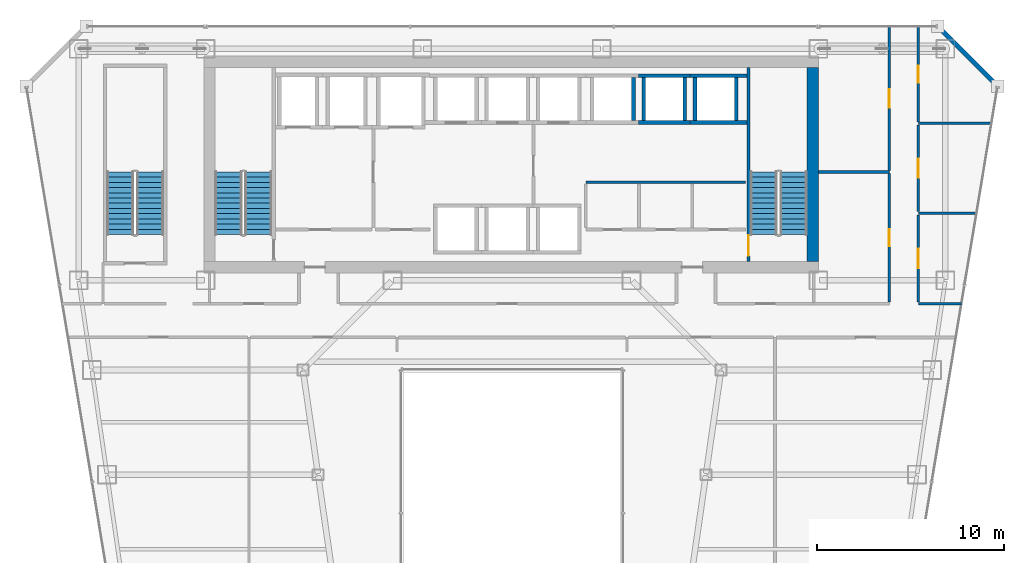
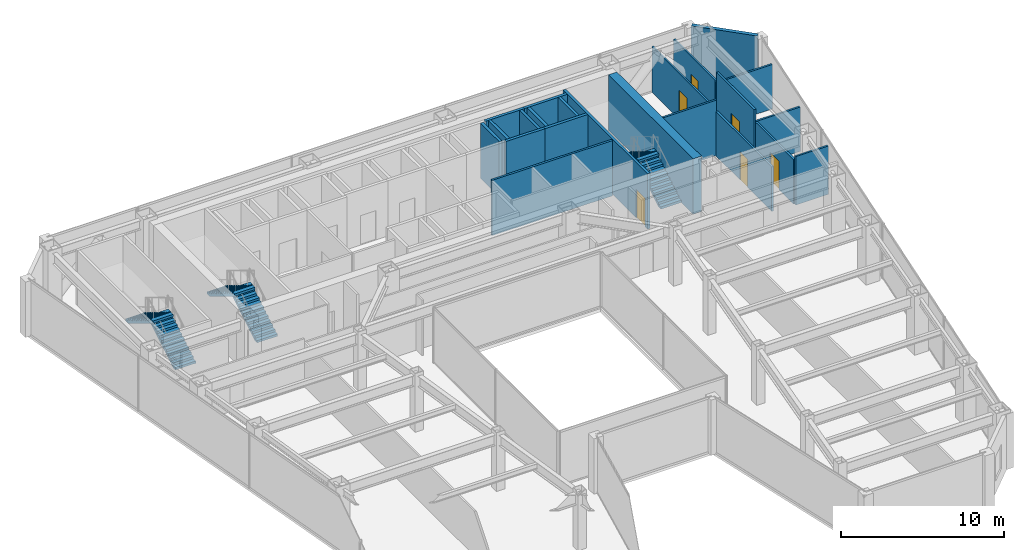
# One storey, part 34 of 37: 22 walls, 6 doors, 6 stair flights, 6 openings, 3 elements without a shape of their own.
"""IFC4 building model written with IfcOpenShell, lengths in metres."""

from ifc_helpers import new_model, si_unit, direction, frame, frame_2d, origin, place, context, subcontext, project, spatial, polyline, rectangle, outline, extrude, material, layer, layer_set, type_object, element, fill, aggregate, save


model = new_model("IFC4")

# Units and contexts
model_context = context("Model", 3, precision=1e-05, world=origin(), true_north=direction((0.0, 1.0)))
body_context = subcontext(model_context, "Body", "Model", "MODEL_VIEW")
ifc_project = project(units=[si_unit("LENGTHUNIT", "METRE"), si_unit("AREAUNIT", "SQUARE_METRE"), si_unit("VOLUMEUNIT", "CUBIC_METRE"), si_unit("PLANEANGLEUNIT", "RADIAN"), si_unit("MASSUNIT", "GRAM", prefix="KILO")], contexts=[model_context])

# Site, building, storey
site_placement = place(None, origin())
site = spatial("IfcSite", under=ifc_project, at=site_placement, CompositionType="ELEMENT")
building_placement = place(site_placement, origin())
building = spatial("IfcBuilding", under=site, at=building_placement, Name="Saevonmaru Cultural Tower", CompositionType="ELEMENT")
storey_placement = place(building_placement, frame((0.0, 0.0, 110.39990234375)))
storey = spatial("IfcBuildingStorey", under=building, at=storey_placement, Name="L23", CompositionType="ELEMENT", Elevation=110.39990234375)

# Walls
ifc_material_1 = material(Name="Concrete C60/75", Category="concrete")
ifc_layer_1 = layer(ifc_material_1, 0.60009765625, Name="Concrete C60/75")
ifc_layer_set_1 = layer_set([ifc_layer_1], Name="Concrete C60/75")
wall_type_1 = type_object("IfcWallType", Name="WL-CORE-600", PredefinedType="SHEAR", material=ifc_layer_set_1)
wall_1_placement = place(storey_placement, frame((46.10009765625, 43.39990234375, 0.0), z_axis=(0.0, 0.0, 1.0), x_axis=(0.0, 1.0, 0.0)))
element("IfcWall", 1, at=wall_1_placement, inside=storey, type_object=wall_type_1, Name="L23 Tower RC core shear wall E", PredefinedType="SHEAR", context=body_context, shape_type="SweptSolid", body=[
    extrude(rectangle(XDim=10.400146484375, YDim=0.60009765625, at=frame_2d((5.2001953125, 0.0))), origin(), (0.0, 0.0, 1.0), 4.150146484375),
])
ifc_material_2 = material(Name="Gypsum Fireboard Partition", Category="gypsum")
ifc_layer_2 = layer(ifc_material_2, 0.14990234375, Name="Gypsum Fireboard Partition")
ifc_layer_set_2 = layer_set([ifc_layer_2], Name="Gypsum Fireboard Partition")
wall_type_2 = type_object("IfcWallType", Name="WL-CORE-PART-150", PredefinedType="PARTITIONING", material=ifc_layer_set_2)
wall_2_placement = place(storey_placement, frame((33.949951171875, 47.64990234375, 0.0), z_axis=(0.0, 0.0, 1.0), x_axis=(1.0, 0.0, 0.0)))
element("IfcWall", 2, at=wall_2_placement, inside=storey, type_object=wall_type_2, Name="L23 Core Utility North Wall", PredefinedType="PARTITIONING", context=body_context, shape_type="SweptSolid", body=[
    extrude(rectangle(XDim=8.550048828125, YDim=0.14990234375, at=frame_2d((4.27490234375, 0.0))), origin(), (0.0, 0.0, 1.0), 4.150146484375),
])
ifc_material_3 = material(Name="Granite-Clad Precast Concrete C40/50", Category="masonry")
ifc_layer_3 = layer(ifc_material_3, 0.260009765625, Name="Granite-Clad Precast Concrete C40/50")
ifc_layer_set_3 = layer_set([ifc_layer_3], Name="Granite-Clad Precast Concrete C40/50")
wall_type_3 = type_object("IfcWallType", Name="WL-EXT-SPANDREL-260", PredefinedType="STANDARD", material=ifc_layer_set_3)
wall_3_placement = place(storey_placement, frame((55.886962890625, 52.9130859375, 0.0), z_axis=(0.0, 0.0, 1.0), x_axis=(-0.707106781187, 0.707106781187, 0.0)))
element("IfcWall", 3, at=wall_3_placement, inside=storey, type_object=wall_type_3, Name="L23 Chamfer Corner Spandrel Wall E9", PredefinedType="STANDARD", context=body_context, shape_type="SweptSolid", body=[
    extrude(rectangle(XDim=4.205810546875, YDim=0.260009765625, at=frame_2d((2.10302734375, 0.0))), origin(), (0.0, 0.0, 1.0), 4.150146484375),
])

# Wall, opening, door
ifc_layer_4 = layer(ifc_material_2, 0.14990234375, Name="Gypsum Fireboard Partition")
ifc_layer_set_4 = layer_set([ifc_layer_4], Name="Gypsum Fireboard Partition")
wall_type_4 = type_object("IfcWallType", Name="WL-PART-FIRE-150", PredefinedType="PARTITIONING", material=ifc_layer_set_4)
wall_4_placement = place(storey_placement, frame((51.75, 41.237548828125, 0.0), z_axis=(0.0, 0.0, 1.0), x_axis=(0.0, 1.0, 0.0)))
wall_4 = element("IfcWall", 4, at=wall_4_placement, inside=storey, type_object=wall_type_4, Name="L23 Skyline Exhibition Gallery Corridor Wall", PredefinedType="PARTITIONING", context=body_context, shape_type="SweptSolid", body=[
    extrude(rectangle(XDim=4.675048828125, YDim=0.14990234375, at=frame_2d((2.33740234375, 0.0))), origin(), (0.0, 0.0, 1.0), 3.335205078125),
])
opening_1_placement = place(wall_4_placement, frame((1.81298828125, 0.0, 0.0)))
opening_1 = element("IfcOpeningElement", 5, at=opening_1_placement, cuts=wall_4, Name="Opening ID-1", PredefinedType="OPENING", context=body_context, shape_type="SweptSolid", body=[
    extrude(rectangle(XDim=1.050048828125, YDim=2.14990234375, at=frame_2d((0.52490234375, 1.074951171875))), frame((0.0, 0.0849609375, 0.0), z_axis=(0.0, -1.0, 0.0), x_axis=(1.0, 0.0, 0.0)), (0.0, 0.0, 1.0), 0.169921875),
])
ifc_material_4 = material(Name="Satin Bronze Anodised Aluminium", Category="aluminium")
door_type_1 = type_object("IfcDoorType", Name="DR-INT-1050", OperationType="SINGLE_SWING_LEFT", PredefinedType="DOOR", material=ifc_material_4)
door_1_placement = place(opening_1_placement, origin())
door_1 = element("IfcDoor", 6, at=door_1_placement, inside=storey, type_object=door_type_1, Name="L23 Skyline Exhibition Gallery Door", OperationType="SINGLE_SWING_RIGHT", OverallHeight=2.14990234375, OverallWidth=1.050048828125, PredefinedType="DOOR", context=body_context, shape_type="SweptSolid", body=[
    extrude(rectangle(XDim=1.050048828125, YDim=2.14990234375, at=frame_2d((0.52490234375, 1.074951171875))), frame((0.0, 0.02490234375, 0.0), z_axis=(0.0, -1.0, 0.0), x_axis=(1.0, 0.0, 0.0)), (0.0, 0.0, 1.0), 0.050048828125),
])
fill(opening_1, door_1)

wall_5_placement = place(storey_placement, frame((51.75, 46.08740234375, 0.0), z_axis=(0.0, 0.0, 1.0), x_axis=(0.0, 1.0, 0.0)))
wall_5 = element("IfcWall", 7, at=wall_5_placement, inside=storey, type_object=wall_type_4, Name="L23 Acoustic Chamber Auditorium Corridor Wall", PredefinedType="PARTITIONING", context=body_context, shape_type="SweptSolid", body=[
    extrude(rectangle(XDim=4.625, YDim=0.14990234375, at=frame_2d((2.3125, 0.0))), origin(), (0.0, 0.0, 1.0), 4.150146484375),
])
opening_2_placement = place(wall_5_placement, frame((1.81201171875, 0.0, 0.0)))
opening_2 = element("IfcOpeningElement", 8, at=opening_2_placement, cuts=wall_5, Name="Opening ID-1B", PredefinedType="OPENING", context=body_context, shape_type="SweptSolid", body=[
    extrude(rectangle(XDim=1.0, YDim=2.14990234375, at=frame_2d((0.5, 1.074951171875))), frame((0.0, 0.0849609375, 0.0), z_axis=(0.0, -1.0, 0.0), x_axis=(1.0, 0.0, 0.0)), (0.0, 0.0, 1.0), 0.169921875),
])
ifc_material_5 = material(Name="Acoustic Stained Oak Timber", Category="wood")
door_type_2 = type_object("IfcDoorType", Name="DR-INT-1000", OperationType="SINGLE_SWING_RIGHT", PredefinedType="DOOR", material=ifc_material_5)
door_2_placement = place(opening_2_placement, origin())
door_2 = element("IfcDoor", 9, at=door_2_placement, inside=storey, type_object=door_type_2, Name="L23 Acoustic Chamber Auditorium Door", OperationType="SINGLE_SWING_LEFT", OverallHeight=2.14990234375, OverallWidth=1.0, PredefinedType="DOOR", context=body_context, shape_type="SweptSolid", body=[
    extrude(rectangle(XDim=1.0, YDim=2.14990234375, at=frame_2d((0.5, 1.074951171875))), frame((0.0, 0.02490234375, 0.0), z_axis=(0.0, -1.0, 0.0), x_axis=(1.0, 0.0, 0.0)), (0.0, 0.0, 1.0), 0.050048828125),
])
fill(opening_2, door_2)

ifc_layer_5 = layer(ifc_material_2, 0.1201171875, Name="Gypsum Fireboard Partition")
ifc_layer_set_5 = layer_set([ifc_layer_5], Name="Gypsum Fireboard Partition")
wall_type_5 = type_object("IfcWallType", Name="WL-PART-GYP-120", PredefinedType="PARTITIONING", material=ifc_layer_set_5)
wall_6_placement = place(storey_placement, frame((50.199951171875, 48.2900390625, 0.0), z_axis=(0.0, 0.0, 1.0), x_axis=(0.0, 1.0, 0.0)))
wall_6 = element("IfcWall", 10, at=wall_6_placement, inside=storey, type_object=wall_type_5, Name="L23 Museum Espresso Cafe Corridor Wall", PredefinedType="PARTITIONING", context=body_context, shape_type="SweptSolid", body=[
    extrude(rectangle(XDim=7.705078125, YDim=0.1201171875, at=frame_2d((3.8525390625, 0.0))), origin(), (0.0, 0.0, 1.0), 3.43505859375),
])
opening_3_placement = place(wall_6_placement, frame((3.35205078125, 0.0, 0.0)))
opening_3 = element("IfcOpeningElement", 11, at=opening_3_placement, cuts=wall_6, Name="Opening ID-1B", PredefinedType="OPENING", context=body_context, shape_type="SweptSolid", body=[
    extrude(rectangle(XDim=1.0, YDim=2.14990234375, at=frame_2d((0.5, 1.074951171875))), frame((0.0, 0.070068359375, 0.0), z_axis=(0.0, -1.0, 0.0), x_axis=(1.0, 0.0, 0.0)), (0.0, 0.0, 1.0), 0.14013671875),
])
door_3_placement = place(opening_3_placement, origin())
door_3 = element("IfcDoor", 12, at=door_3_placement, inside=storey, type_object=door_type_2, Name="L23 Museum Espresso Cafe Door", OperationType="SINGLE_SWING_LEFT", OverallHeight=2.14990234375, OverallWidth=1.0, PredefinedType="DOOR", context=body_context, shape_type="SweptSolid", body=[
    extrude(rectangle(XDim=1.0, YDim=2.14990234375, at=frame_2d((0.5, 1.074951171875))), frame((0.0, 0.02490234375, 0.0), z_axis=(0.0, -1.0, 0.0), x_axis=(1.0, 0.0, 0.0)), (0.0, 0.0, 1.0), 0.050048828125),
])
fill(opening_3, door_3)

wall_7_placement = place(storey_placement, frame((51.75, 50.887451171875, 0.0), z_axis=(0.0, 0.0, 1.0), x_axis=(0.0, 1.0, 0.0)))
wall_7 = element("IfcWall", 13, at=wall_7_placement, inside=storey, type_object=wall_type_5, Name="L23 Visiting Fellows Office Corridor Wall", PredefinedType="PARTITIONING", context=body_context, shape_type="SweptSolid", body=[
    extrude(rectangle(XDim=5.107666015625, YDim=0.1201171875, at=frame_2d((2.5537109375, 0.0))), origin(), (0.0, 0.0, 1.0), 3.43505859375),
])
opening_4_placement = place(wall_7_placement, frame((2.10400390625, 0.0, 0.0)))
opening_4 = element("IfcOpeningElement", 14, at=opening_4_placement, cuts=wall_7, Name="Opening ID-2", PredefinedType="OPENING", context=body_context, shape_type="SweptSolid", body=[
    extrude(rectangle(XDim=0.89990234375, YDim=2.10009765625, at=frame_2d((0.449951171875, 1.050048828125))), frame((0.0, 0.070068359375, 0.0), z_axis=(0.0, -1.0, 0.0), x_axis=(1.0, 0.0, 0.0)), (0.0, 0.0, 1.0), 0.14013671875),
])
door_type_3 = type_object("IfcDoorType", Name="DR-INT-900", OperationType="SINGLE_SWING_RIGHT", PredefinedType="DOOR", material=ifc_material_5)
door_4_placement = place(opening_4_placement, origin())
door_4 = element("IfcDoor", 15, at=door_4_placement, inside=storey, type_object=door_type_3, Name="L23 Visiting Fellows Office Door", OperationType="SINGLE_SWING_RIGHT", OverallHeight=2.10009765625, OverallWidth=0.89990234375, PredefinedType="DOOR", context=body_context, shape_type="SweptSolid", body=[
    extrude(rectangle(XDim=0.89990234375, YDim=2.10009765625, at=frame_2d((0.449951171875, 1.050048828125))), frame((0.0, 0.02490234375, 0.0), z_axis=(0.0, -1.0, 0.0), x_axis=(1.0, 0.0, 0.0)), (0.0, 0.0, 1.0), 0.050048828125),
])
fill(opening_4, door_4)

# Walls
ifc_layer_6 = layer(ifc_material_2, 0.135009765625, Name="Gypsum Fireboard Partition")
ifc_layer_set_6 = layer_set([ifc_layer_6], Name="Gypsum Fireboard Partition")
wall_type_6 = type_object("IfcWallType", Name="WL-PART-GYP-135", PredefinedType="PARTITIONING", material=ifc_layer_set_6)
wall_8_placement = place(storey_placement, frame((51.75, 41.14990234375, 0.0), z_axis=(0.0, 0.0, 1.0), x_axis=(1.0, 0.0, 0.0)))
element("IfcWall", 16, at=wall_8_placement, inside=storey, type_object=wall_type_6, Name="L23 NE Wing South Wall", PredefinedType="PARTITIONING", context=body_context, shape_type="SweptSolid", body=[
    extrude(rectangle(XDim=2.30810546875, YDim=0.135009765625, at=frame_2d((1.154052734375, 0.0))), origin(), (0.0, 0.0, 1.0), 3.635009765625),
])
wall_9_placement = place(storey_placement, frame((51.75, 46.0, 0.0), z_axis=(0.0, 0.0, 1.0), x_axis=(1.0, 0.0, 0.0)))
element("IfcWall", 17, at=wall_9_placement, inside=storey, type_object=wall_type_6, Name="L23 NE Studio Divider 1", PredefinedType="PARTITIONING", context=body_context, shape_type="SweptSolid", body=[
    extrude(rectangle(XDim=3.114501953125, YDim=0.135009765625, at=frame_2d((1.55712890625, 0.0))), origin(), (0.0, 0.0, 1.0), 3.335205078125),
])
wall_10_placement = place(storey_placement, frame((51.75, 50.800048828125, 0.0), z_axis=(0.0, 0.0, 1.0), x_axis=(1.0, 0.0, 0.0)))
element("IfcWall", 18, at=wall_10_placement, inside=storey, type_object=wall_type_6, Name="L23 NE Studio Divider 2", PredefinedType="PARTITIONING", context=body_context, shape_type="SweptSolid", body=[
    extrude(rectangle(XDim=3.912353515625, YDim=0.135009765625, at=frame_2d((1.9560546875, 0.0))), origin(), (0.0, 0.0, 1.0), 3.335205078125),
])
ifc_layer_7 = layer(ifc_material_2, 0.139892578125, Name="Gypsum Fireboard Partition")
ifc_layer_set_7 = layer_set([ifc_layer_7], Name="Gypsum Fireboard Partition")
wall_type_7 = type_object("IfcWallType", Name="WL-PART-WET-140", PredefinedType="PARTITIONING", material=ifc_layer_set_7)
wall_11_placement = place(storey_placement, frame((46.419921875, 48.199951171875, 0.0), z_axis=(0.0, 0.0, 1.0), x_axis=(1.0, 0.0, 0.0)))
element("IfcWall", 19, at=wall_11_placement, inside=storey, type_object=wall_type_7, Name="L23 Washroom North Wall", PredefinedType="PARTITIONING", context=body_context, shape_type="SweptSolid", body=[
    extrude(rectangle(XDim=3.780029296875, YDim=0.139892578125, at=frame_2d((1.89013671875, 0.0))), origin(), (0.0, 0.0, 1.0), 4.150146484375),
])

# Wall, opening, door
wall_12_placement = place(storey_placement, frame((50.199951171875, 41.239990234375, 0.0), z_axis=(0.0, 0.0, 1.0), x_axis=(0.0, 1.0, 0.0)))
wall_12 = element("IfcWall", 20, at=wall_12_placement, inside=storey, type_object=wall_type_7, Name="L23 Washroom Corridor Wall", PredefinedType="PARTITIONING", context=body_context, shape_type="SweptSolid", body=[
    extrude(rectangle(XDim=6.8701171875, YDim=0.139892578125, at=frame_2d((3.43505859375, 0.0))), origin(), (0.0, 0.0, 1.0), 3.335205078125),
])
opening_5_placement = place(wall_12_placement, frame((2.985107421875, 0.0, 0.0)))
opening_5 = element("IfcOpeningElement", 21, at=opening_5_placement, cuts=wall_12, Name="Opening ID-2", PredefinedType="OPENING", context=body_context, shape_type="SweptSolid", body=[
    extrude(rectangle(XDim=0.89990234375, YDim=2.10009765625, at=frame_2d((0.449951171875, 1.050048828125))), frame((0.0, 0.080078125, 0.0), z_axis=(0.0, -1.0, 0.0), x_axis=(1.0, 0.0, 0.0)), (0.0, 0.0, 1.0), 0.159912109375),
])
door_5_placement = place(opening_5_placement, origin())
door_5 = element("IfcDoor", 22, at=door_5_placement, inside=storey, type_object=door_type_3, Name="L23 Public Accessible Washrooms Door", OperationType="SINGLE_SWING_RIGHT", OverallHeight=2.10009765625, OverallWidth=0.89990234375, PredefinedType="DOOR", context=body_context, shape_type="SweptSolid", body=[
    extrude(rectangle(XDim=0.89990234375, YDim=2.10009765625, at=frame_2d((0.449951171875, 1.050048828125))), frame((0.0, 0.02490234375, 0.0), z_axis=(0.0, -1.0, 0.0), x_axis=(1.0, 0.0, 0.0)), (0.0, 0.0, 1.0), 0.050048828125),
])
fill(opening_5, door_5)

# Walls
ifc_material_6 = material(Name="Concrete C40/50", Category="concrete")
ifc_layer_8 = layer(ifc_material_6, 0.199951171875, Name="Concrete C40/50")
ifc_layer_set_8 = layer_set([ifc_layer_8], Name="Concrete C40/50")
wall_type_8 = type_object("IfcWallType", Name="WL-SHAFT-200", PredefinedType="SHEAR", material=ifc_layer_set_8)
wall_13_placement = place(storey_placement, frame((36.5, 50.949951171875, 0.0), z_axis=(0.0, 0.0, 1.0), x_axis=(0.0, 1.0, 0.0)))
element("IfcWall", 23, at=wall_13_placement, inside=storey, type_object=wall_type_8, Name="L23 Lift PL-H1 Hoistway Wall E", PredefinedType="SHEAR", context=body_context, shape_type="SweptSolid", body=[
    extrude(rectangle(XDim=2.300048828125, YDim=0.199951171875, at=frame_2d((1.14990234375, 0.0))), origin(), (0.0, 0.0, 1.0), 4.150146484375),
])
for number, where, z_axis, x_axis, name in (
    (24, (36.77490234375, 50.85009765625, 0.0), (0.0, 0.0, 1.0), (1.0, 0.0, 0.0), "L23 Lift PL-H2 Hoistway Wall S"),
    (25, (36.77490234375, 53.35009765625, 0.0), (0.0, 0.0, 1.0), (1.0, 0.0, 0.0), "L23 Lift PL-H2 Hoistway Wall N"),
):
    element("IfcWall", number, at=place(storey_placement, frame(where, z_axis=z_axis, x_axis=x_axis)), inside=storey, type_object=wall_type_8, Name=name, PredefinedType="SHEAR", context=body_context, shape_type="SweptSolid", body=[
        extrude(rectangle(XDim=2.75, YDim=0.199951171875, at=frame_2d((1.375, 0.0))), origin(), (0.0, 0.0, 1.0), 4.150146484375),
    ])
for number, where, z_axis, x_axis, name in (
    (26, (37.050048828125, 50.949951171875, 0.0), (0.0, 0.0, 1.0), (0.0, 1.0, 0.0), "L23 Lift PL-H2 Hoistway Wall W"),
    (27, (39.25, 50.949951171875, 0.0), (0.0, 0.0, 1.0), (0.0, 1.0, 0.0), "L23 Lift PL-H2 Hoistway Wall E"),
):
    element("IfcWall", number, at=place(storey_placement, frame(where, z_axis=z_axis, x_axis=x_axis)), inside=storey, type_object=wall_type_8, Name=name, PredefinedType="SHEAR", context=body_context, shape_type="SweptSolid", body=[
        extrude(rectangle(XDim=2.300048828125, YDim=0.199951171875, at=frame_2d((1.14990234375, 0.0))), origin(), (0.0, 0.0, 1.0), 4.150146484375),
    ])
for number, where, z_axis, x_axis, name in (
    (28, (39.52490234375, 50.85009765625, 0.0), (0.0, 0.0, 1.0), (1.0, 0.0, 0.0), "L23 Lift PL-H3 Hoistway Wall S"),
    (29, (39.52490234375, 53.35009765625, 0.0), (0.0, 0.0, 1.0), (1.0, 0.0, 0.0), "L23 Lift PL-H3 Hoistway Wall N"),
):
    element("IfcWall", number, at=place(storey_placement, frame(where, z_axis=z_axis, x_axis=x_axis)), inside=storey, type_object=wall_type_8, Name=name, PredefinedType="SHEAR", context=body_context, shape_type="SweptSolid", body=[
        extrude(rectangle(XDim=3.045166015625, YDim=0.199951171875, at=frame_2d((1.5224609375, 0.0))), origin(), (0.0, 0.0, 1.0), 4.150146484375),
    ])
for number, where, z_axis, x_axis, name in (
    (30, (39.800048828125, 50.949951171875, 0.0), (0.0, 0.0, 1.0), (0.0, 1.0, 0.0), "L23 Lift PL-H3 Hoistway Wall W"),
    (31, (42.0, 50.949951171875, 0.0), (0.0, 0.0, 1.0), (0.0, 1.0, 0.0), "L23 Lift PL-H3 Hoistway Wall E"),
):
    element("IfcWall", number, at=place(storey_placement, frame(where, z_axis=z_axis, x_axis=x_axis)), inside=storey, type_object=wall_type_8, Name=name, PredefinedType="SHEAR", context=body_context, shape_type="SweptSolid", body=[
        extrude(rectangle(XDim=2.300048828125, YDim=0.199951171875, at=frame_2d((1.14990234375, 0.0))), origin(), (0.0, 0.0, 1.0), 4.150146484375),
    ])

# Wall, opening, door
ifc_layer_9 = layer(ifc_material_6, 0.179931640625, Name="Concrete C40/50")
ifc_layer_set_9 = layer_set([ifc_layer_9], Name="Concrete C40/50")
wall_type_9 = type_object("IfcWallType", Name="WL-STSHAFT-180", PredefinedType="SHEAR", material=ifc_layer_set_9)
wall_14_placement = place(storey_placement, frame((42.659912109375, 53.800048828125, 0.0), z_axis=(0.0, 0.0, 1.0), x_axis=(0.0, -1.0, 0.0)))
wall_14 = element("IfcWall", 32, at=wall_14_placement, inside=storey, type_object=wall_type_9, Name="L23 Stair ST-2 Structural Shaft Wall 1", PredefinedType="SHEAR", context=body_context, shape_type="SweptSolid", body=[
    extrude(rectangle(XDim=10.400146484375, YDim=0.179931640625, at=frame_2d((5.2001953125, 0.0))), origin(), (0.0, 0.0, 1.0), 4.150146484375),
])
opening_6_placement = place(wall_14_placement, frame((8.989990234375, 0.0, 0.0)))
opening_6 = element("IfcOpeningElement", 33, at=opening_6_placement, cuts=wall_14, Name="Opening FD-2", PredefinedType="OPENING", context=body_context, shape_type="SweptSolid", body=[
    extrude(rectangle(XDim=1.10009765625, YDim=2.14990234375, at=frame_2d((0.550048828125, 1.074951171875))), frame((0.0, 0.10009765625, 0.0), z_axis=(0.0, -1.0, 0.0), x_axis=(1.0, 0.0, 0.0)), (0.0, 0.0, 1.0), 0.199951171875),
])
door_type_4 = type_object("IfcDoorType", Name="DR-FD60-1100", OperationType="SINGLE_SWING_LEFT", PredefinedType="DOOR", material=ifc_material_4)
door_6_placement = place(opening_6_placement, origin())
door_6 = element("IfcDoor", 34, at=door_6_placement, inside=storey, type_object=door_type_4, Name="L23 Protected Stair ST-2 Fire Door", OperationType="SINGLE_SWING_LEFT", OverallHeight=2.14990234375, OverallWidth=1.10009765625, PredefinedType="DOOR", context=body_context, shape_type="SweptSolid", body=[
    extrude(rectangle(XDim=1.10009765625, YDim=2.14990234375, at=frame_2d((0.550048828125, 1.074951171875))), frame((0.0, 0.02490234375, 0.0), z_axis=(0.0, -1.0, 0.0), x_axis=(1.0, 0.0, 0.0)), (0.0, 0.0, 1.0), 0.050048828125),
])
fill(opening_6, door_6)

# Stair, stair flights
stair_type = type_object("IfcStairType", Name="STR-DOGLEG-RC", PredefinedType="HALF_TURN_STAIR", material=ifc_material_6)
stair_1_placement = place(storey_placement, origin())
stair_1 = element("IfcStair", 35, at=stair_1_placement, inside=storey, type_object=stair_type, Name="L23 Protected exit stair ST-1", PredefinedType="HALF_TURN_STAIR")
ifc_material_7 = material(Name="Precast concrete C40/50", Category="concrete")
stair_flight_type = type_object("IfcStairFlightType", Name="STF-PRECAST-180", PredefinedType="STRAIGHT", material=ifc_material_7)
stair_flight_1_placement = place(storey_placement, frame((16.425048828125, 44.85009765625, 0.0), z_axis=(0.0, 0.0, 1.0), x_axis=(0.0, 1.0, 0.0)))
stair_flight_1 = element("IfcStairFlight", 36, at=stair_flight_1_placement, type_object=stair_flight_type, Name="ST-1-L23 flight 1", NumberOfRisers=13, NumberOfTreads=12, PredefinedType="STRAIGHT", RiserHeight=0.169230769, TreadLength=0.28, context=body_context, shape_type="SweptSolid", body=[
    extrude(outline(polyline([(0.0, 0.0), (0.0, 0.169189453125), (0.280029296875, 0.169189453125), (0.280029296875, 0.33837890625), (0.56005859375, 0.33837890625), (0.56005859375, 0.5078125), (0.840087890625, 0.5078125), (0.840087890625, 0.677001953125), (1.1201171875, 0.677001953125), (1.1201171875, 0.84619140625), (1.39990234375, 0.84619140625), (1.39990234375, 1.015380859375), (1.679931640625, 1.015380859375), (1.679931640625, 1.1845703125), (1.9599609375, 1.1845703125), (1.9599609375, 1.353759765625), (2.239990234375, 1.353759765625), (2.239990234375, 1.523193359375), (2.52001953125, 1.523193359375), (2.52001953125, 1.6923828125), (2.800048828125, 1.6923828125), (2.800048828125, 1.861572265625), (3.080078125, 1.861572265625), (3.080078125, 2.03076171875), (3.360107421875, 2.03076171875), (3.360107421875, 2.199951171875), (3.360107421875, 1.855712890625), (0.289794921875, 0.0), (0.0, 0.0)])), frame((0.0, 0.72509765625, 0.0), z_axis=(0.0, -1.0, 0.0), x_axis=(1.0, 0.0, 0.0)), (0.0, 0.0, 1.0), 1.449951171875),
])
stair_flight_2_placement = place(storey_placement, frame((14.824951171875, 48.2099609375, 2.2001953125), z_axis=(0.0, 0.0, 1.0), x_axis=(0.0, -1.0, 0.0)))
stair_flight_2 = element("IfcStairFlight", 37, at=stair_flight_2_placement, type_object=stair_flight_type, Name="ST-1-L23 flight 2", NumberOfRisers=13, NumberOfTreads=12, PredefinedType="STRAIGHT", RiserHeight=0.169230769, TreadLength=0.28, context=body_context, shape_type="SweptSolid", body=[
    extrude(outline(polyline([(0.0, 0.0), (0.0, 0.169189453125), (0.280029296875, 0.169189453125), (0.280029296875, 0.33837890625), (0.56005859375, 0.33837890625), (0.56005859375, 0.5078125), (0.840087890625, 0.5078125), (0.840087890625, 0.677001953125), (1.1201171875, 0.677001953125), (1.1201171875, 0.84619140625), (1.39990234375, 0.84619140625), (1.39990234375, 1.015380859375), (1.679931640625, 1.015380859375), (1.679931640625, 1.1845703125), (1.9599609375, 1.1845703125), (1.9599609375, 1.353759765625), (2.239990234375, 1.353759765625), (2.239990234375, 1.523193359375), (2.52001953125, 1.523193359375), (2.52001953125, 1.6923828125), (2.800048828125, 1.6923828125), (2.800048828125, 1.861572265625), (3.080078125, 1.861572265625), (3.080078125, 2.03076171875), (3.360107421875, 2.03076171875), (3.360107421875, 2.199951171875), (3.360107421875, 1.855712890625), (0.289794921875, 0.0), (0.0, 0.0)])), frame((0.0, 0.72509765625, 0.0), z_axis=(0.0, -1.0, 0.0), x_axis=(1.0, 0.0, 0.0)), (0.0, 0.0, 1.0), 1.449951171875),
])
aggregate(stair_1, [stair_flight_1, stair_flight_2])

stair_2_placement = place(storey_placement, origin())
stair_2 = element("IfcStair", 38, at=stair_2_placement, inside=storey, type_object=stair_type, Name="L23 Protected exit stair ST-2", PredefinedType="HALF_TURN_STAIR")
stair_flight_3_placement = place(storey_placement, frame((45.074951171875, 44.85009765625, 0.0), z_axis=(0.0, 0.0, 1.0), x_axis=(0.0, 1.0, 0.0)))
stair_flight_3 = element("IfcStairFlight", 39, at=stair_flight_3_placement, type_object=stair_flight_type, Name="ST-2-L23 flight 1", NumberOfRisers=13, NumberOfTreads=12, PredefinedType="STRAIGHT", RiserHeight=0.169230769, TreadLength=0.28, context=body_context, shape_type="SweptSolid", body=[
    extrude(outline(polyline([(0.0, 0.0), (0.0, 0.169189453125), (0.280029296875, 0.169189453125), (0.280029296875, 0.33837890625), (0.56005859375, 0.33837890625), (0.56005859375, 0.5078125), (0.840087890625, 0.5078125), (0.840087890625, 0.677001953125), (1.1201171875, 0.677001953125), (1.1201171875, 0.84619140625), (1.39990234375, 0.84619140625), (1.39990234375, 1.015380859375), (1.679931640625, 1.015380859375), (1.679931640625, 1.1845703125), (1.9599609375, 1.1845703125), (1.9599609375, 1.353759765625), (2.239990234375, 1.353759765625), (2.239990234375, 1.523193359375), (2.52001953125, 1.523193359375), (2.52001953125, 1.6923828125), (2.800048828125, 1.6923828125), (2.800048828125, 1.861572265625), (3.080078125, 1.861572265625), (3.080078125, 2.03076171875), (3.360107421875, 2.03076171875), (3.360107421875, 2.199951171875), (3.360107421875, 1.855712890625), (0.289794921875, 0.0), (0.0, 0.0)])), frame((0.0, 0.72509765625, 0.0), z_axis=(0.0, -1.0, 0.0), x_axis=(1.0, 0.0, 0.0)), (0.0, 0.0, 1.0), 1.449951171875),
])
stair_flight_4_placement = place(storey_placement, frame((43.47509765625, 48.2099609375, 2.2001953125), z_axis=(0.0, 0.0, 1.0), x_axis=(0.0, -1.0, 0.0)))
stair_flight_4 = element("IfcStairFlight", 40, at=stair_flight_4_placement, type_object=stair_flight_type, Name="ST-2-L23 flight 2", NumberOfRisers=13, NumberOfTreads=12, PredefinedType="STRAIGHT", RiserHeight=0.169230769, TreadLength=0.28, context=body_context, shape_type="SweptSolid", body=[
    extrude(outline(polyline([(0.0, 0.0), (0.0, 0.169189453125), (0.280029296875, 0.169189453125), (0.280029296875, 0.33837890625), (0.56005859375, 0.33837890625), (0.56005859375, 0.5078125), (0.840087890625, 0.5078125), (0.840087890625, 0.677001953125), (1.1201171875, 0.677001953125), (1.1201171875, 0.84619140625), (1.39990234375, 0.84619140625), (1.39990234375, 1.015380859375), (1.679931640625, 1.015380859375), (1.679931640625, 1.1845703125), (1.9599609375, 1.1845703125), (1.9599609375, 1.353759765625), (2.239990234375, 1.353759765625), (2.239990234375, 1.523193359375), (2.52001953125, 1.523193359375), (2.52001953125, 1.6923828125), (2.800048828125, 1.6923828125), (2.800048828125, 1.861572265625), (3.080078125, 1.861572265625), (3.080078125, 2.03076171875), (3.360107421875, 2.03076171875), (3.360107421875, 2.199951171875), (3.360107421875, 1.855712890625), (0.289794921875, 0.0), (0.0, 0.0)])), frame((0.0, 0.72509765625, 0.0), z_axis=(0.0, -1.0, 0.0), x_axis=(1.0, 0.0, 0.0)), (0.0, 0.0, 1.0), 1.449951171875),
])
aggregate(stair_2, [stair_flight_3, stair_flight_4])

stair_3_placement = place(storey_placement, origin())
stair_3 = element("IfcStair", 41, at=stair_3_placement, inside=storey, type_object=stair_type, Name="L23 Protected exit stair ST-3", PredefinedType="HALF_TURN_STAIR")
stair_flight_5_placement = place(storey_placement, frame((10.625, 44.85009765625, 0.0), z_axis=(0.0, 0.0, 1.0), x_axis=(0.0, 1.0, 0.0)))
stair_flight_5 = element("IfcStairFlight", 42, at=stair_flight_5_placement, type_object=stair_flight_type, Name="ST-3-L23 flight 1", NumberOfRisers=13, NumberOfTreads=12, PredefinedType="STRAIGHT", RiserHeight=0.169230769, TreadLength=0.28, context=body_context, shape_type="SweptSolid", body=[
    extrude(outline(polyline([(0.0, 0.0), (0.0, 0.169189453125), (0.280029296875, 0.169189453125), (0.280029296875, 0.33837890625), (0.56005859375, 0.33837890625), (0.56005859375, 0.5078125), (0.840087890625, 0.5078125), (0.840087890625, 0.677001953125), (1.1201171875, 0.677001953125), (1.1201171875, 0.84619140625), (1.39990234375, 0.84619140625), (1.39990234375, 1.015380859375), (1.679931640625, 1.015380859375), (1.679931640625, 1.1845703125), (1.9599609375, 1.1845703125), (1.9599609375, 1.353759765625), (2.239990234375, 1.353759765625), (2.239990234375, 1.523193359375), (2.52001953125, 1.523193359375), (2.52001953125, 1.6923828125), (2.800048828125, 1.6923828125), (2.800048828125, 1.861572265625), (3.080078125, 1.861572265625), (3.080078125, 2.03076171875), (3.360107421875, 2.03076171875), (3.360107421875, 2.199951171875), (3.360107421875, 1.855712890625), (0.289794921875, 0.0), (0.0, 0.0)])), frame((0.0, 0.72509765625, 0.0), z_axis=(0.0, -1.0, 0.0), x_axis=(1.0, 0.0, 0.0)), (0.0, 0.0, 1.0), 1.449951171875),
])
stair_flight_6_placement = place(storey_placement, frame((9.02490234375, 48.2099609375, 2.2001953125), z_axis=(0.0, 0.0, 1.0), x_axis=(0.0, -1.0, 0.0)))
stair_flight_6 = element("IfcStairFlight", 43, at=stair_flight_6_placement, type_object=stair_flight_type, Name="ST-3-L23 flight 2", NumberOfRisers=13, NumberOfTreads=12, PredefinedType="STRAIGHT", RiserHeight=0.169230769, TreadLength=0.28, context=body_context, shape_type="SweptSolid", body=[
    extrude(outline(polyline([(0.0, 0.0), (0.0, 0.169189453125), (0.280029296875, 0.169189453125), (0.280029296875, 0.33837890625), (0.56005859375, 0.33837890625), (0.56005859375, 0.5078125), (0.840087890625, 0.5078125), (0.840087890625, 0.677001953125), (1.1201171875, 0.677001953125), (1.1201171875, 0.84619140625), (1.39990234375, 0.84619140625), (1.39990234375, 1.015380859375), (1.679931640625, 1.015380859375), (1.679931640625, 1.1845703125), (1.9599609375, 1.1845703125), (1.9599609375, 1.353759765625), (2.239990234375, 1.353759765625), (2.239990234375, 1.523193359375), (2.52001953125, 1.523193359375), (2.52001953125, 1.6923828125), (2.800048828125, 1.6923828125), (2.800048828125, 1.861572265625), (3.080078125, 1.861572265625), (3.080078125, 2.03076171875), (3.360107421875, 2.03076171875), (3.360107421875, 2.199951171875), (3.360107421875, 1.855712890625), (0.289794921875, 0.0), (0.0, 0.0)])), frame((0.0, 0.72509765625, 0.0), z_axis=(0.0, -1.0, 0.0), x_axis=(1.0, 0.0, 0.0)), (0.0, 0.0, 1.0), 1.449951171875),
])
aggregate(stair_3, [stair_flight_5, stair_flight_6])

save(model, "model.ifc")
